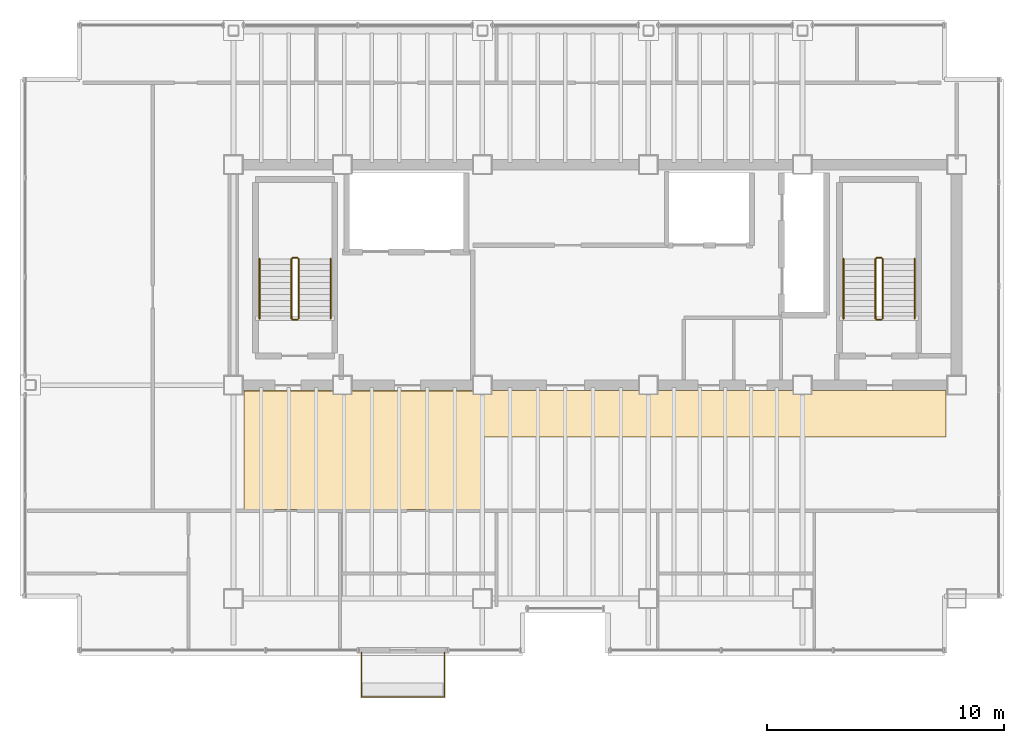
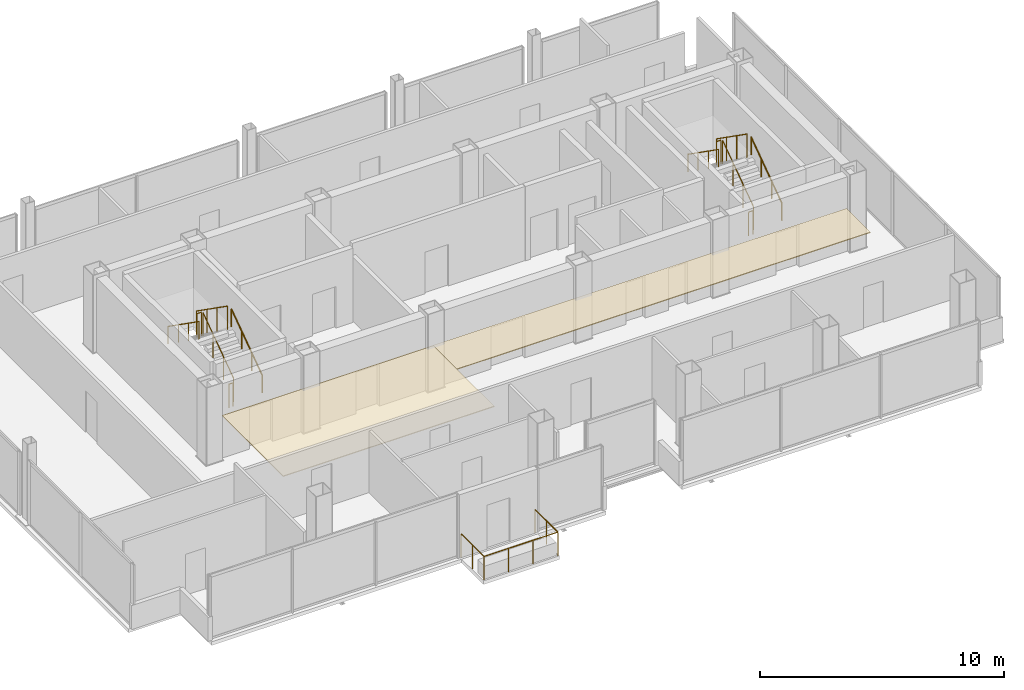
# One storey, part 16 of 16: 13 railings, 2 coverings.
"""IFC4 building model written with IfcOpenShell, lengths in metres."""

from ifc_helpers import new_model, si_unit, direction, frame, origin, origin_2d, place, context, subcontext, project, spatial, polyline, circle, outline, extrude, material, layer, layer_set, type_object, element, save


model = new_model("IFC4")

# Units and contexts
model_context = context("Model", 3, precision=1e-05, world=origin(), true_north=direction((0.0, 1.0)))
body_context = subcontext(model_context, "Body", "Model", "MODEL_VIEW")
ifc_project = project(units=[si_unit("LENGTHUNIT", "METRE"), si_unit("AREAUNIT", "SQUARE_METRE"), si_unit("VOLUMEUNIT", "CUBIC_METRE"), si_unit("PLANEANGLEUNIT", "RADIAN"), si_unit("MASSUNIT", "GRAM", prefix="KILO")], contexts=[model_context])

# Site, building, storey
site_placement = place(None, origin())
site = spatial("IfcSite", under=ifc_project, at=site_placement, CompositionType="ELEMENT")
building_placement = place(site_placement, origin())
building = spatial("IfcBuilding", under=site, at=building_placement, Name="Noeulbin Bourse Tower", CompositionType="ELEMENT")
storey_placement = place(building_placement, frame((0.0, 0.0, 269.60009765625)))
storey = spatial("IfcBuildingStorey", under=building, at=storey_placement, Name="L67", CompositionType="ELEMENT", Elevation=269.60009765625)

# Coverings
ifc_material_1 = material(Name="Perforated Mineral-Fibre Acoustic Tile")
ifc_layer_1 = layer(ifc_material_1, 0.0400390625)
ifc_layer_set_1 = layer_set([ifc_layer_1], Name="Perforated Mineral-Fibre Acoustic Tile")
covering_type_1 = type_object("IfcCoveringType", Name="COV-CEIL-ACT", PredefinedType="CEILING", material=ifc_layer_set_1)
covering_1_placement = place(storey_placement, frame((0.0, 0.0, 2.10986328125)))
element("IfcCovering", 1, at=covering_1_placement, inside=storey, type_object=covering_type_1, Name="Trading Suite Acoustic Ceiling L67", PredefinedType="CEILING", context=body_context, shape_type="SweptSolid", body=[
    extrude(outline(polyline([(13.949951171875, 23.75), (23.949951171875, 23.75), (23.949951171875, 28.75), (13.949951171875, 28.75), (13.949951171875, 23.75)])), origin(), (0.0, 0.0, 1.0), 0.0400390625),
])
ifc_material_2 = material(Name="Linear Anodised Aluminium Baffle Ceiling", Category="aluminium")
ifc_layer_2 = layer(ifc_material_2, 0.050048828125)
ifc_layer_set_2 = layer_set([ifc_layer_2], Name="Linear Anodised Aluminium Baffle Ceiling")
covering_type_2 = type_object("IfcCoveringType", Name="COV-CEIL-MTL", PredefinedType="CEILING", material=ifc_layer_set_2)
covering_2_placement = place(storey_placement, frame((0.0, 0.0, 2.10986328125)))
element("IfcCovering", 2, at=covering_2_placement, inside=storey, type_object=covering_type_2, Name="Corridor Suspended Ceiling L67", PredefinedType="CEILING", context=body_context, shape_type="SweptSolid", body=[
    extrude(outline(polyline([(13.949951171875, 26.820068359375), (43.550048828125, 26.820068359375), (43.550048828125, 28.780029296875), (13.949951171875, 28.780029296875), (13.949951171875, 26.820068359375)])), origin(), (0.0, 0.0, 1.0), 0.0400390625),
])

# Railings
ifc_material_3 = material(Name="Laminated SentryGlas and Stainless Steel 316", Category="steel")
ifc_layer_3 = layer(ifc_material_3, 0.06005859375)
ifc_layer_set_3 = layer_set([ifc_layer_3], Name="Laminated SentryGlas and Stainless Steel 316")
railing_type_1 = type_object("IfcRailingType", Name="RLG-BAL-1200", PredefinedType="BALUSTRADE", material=ifc_layer_set_3)
railing_1_placement = place(storey_placement, frame((18.89990234375, 17.719970703125, 0.0)))
element("IfcRailing", 3, at=railing_1_placement, inside=storey, type_object=railing_type_1, Name="Tree-Balcony Glazed Balustrade L67", PredefinedType="BALUSTRADE", context=body_context, shape_type="SweptSolid", body=[
    extrude(circle(Radius=0.02392578125, at=origin_2d()), frame((0.0, 0.0, 1.17578125), z_axis=(0.0, -1.0, 0.0), x_axis=(1.0, 0.0, 0.0)), (0.0, 0.0, 1.0), 1.869873046875),
    extrude(circle(Radius=0.02392578125, at=origin_2d()), frame((0.0, -1.869873046875, 1.17578125), z_axis=(1.0, 0.0, 0.0), x_axis=(0.0, 1.0, 0.0)), (0.0, 0.0, 1.0), 3.5),
    extrude(circle(Radius=0.02392578125, at=origin_2d()), frame((3.5, -1.869873046875, 1.17578125), z_axis=(0.0, 1.0, 0.0), x_axis=(-1.0, 0.0, 0.0)), (0.0, 0.0, 1.0), 1.869873046875),
    extrude(circle(Radius=0.02099609375, at=origin_2d()), origin(), (0.0, 0.0, 1.0), 1.15185546875),
    extrude(circle(Radius=0.02099609375, at=origin_2d()), frame((0.0, -0.93505859375, 0.0)), (0.0, 0.0, 1.0), 1.15185546875),
    extrude(circle(Radius=0.02099609375, at=origin_2d()), frame((0.0, -1.869873046875, 0.0)), (0.0, 0.0, 1.0), 1.15185546875),
    extrude(circle(Radius=0.02099609375, at=origin_2d()), frame((1.166748046875, -1.869873046875, 0.0)), (0.0, 0.0, 1.0), 1.15185546875),
    extrude(circle(Radius=0.02099609375, at=origin_2d()), frame((2.333251953125, -1.869873046875, 0.0)), (0.0, 0.0, 1.0), 1.15185546875),
    extrude(circle(Radius=0.02099609375, at=origin_2d()), frame((3.5, -1.869873046875, 0.0)), (0.0, 0.0, 1.0), 1.15185546875),
    extrude(circle(Radius=0.02099609375, at=origin_2d()), frame((3.5, -0.93505859375, 0.0)), (0.0, 0.0, 1.0), 1.15185546875),
    extrude(circle(Radius=0.02099609375, at=origin_2d()), frame((3.5, 0.0, 0.0)), (0.0, 0.0, 1.0), 1.15185546875),
])
ifc_material_4 = material(Name="Painted Tubular Steel S355", Category="steel")
ifc_layer_4 = layer(ifc_material_4, 0.048095703125)
ifc_layer_set_4 = layer_set([ifc_layer_4], Name="Painted Tubular Steel S355")
railing_type_2 = type_object("IfcRailingType", Name="RLG-STR-GRD", PredefinedType="GUARDRAIL", material=ifc_layer_set_4)
railing_2_placement = place(storey_placement, frame((16.25, 31.81005859375, 0.17724609375)))
element("IfcRailing", 4, at=railing_2_placement, inside=storey, type_object=railing_type_2, Name="L67 ST-1 stair guard 1", PredefinedType="GUARDRAIL", context=body_context, shape_type="SweptSolid", body=[
    extrude(circle(Radius=0.02392578125, at=origin_2d()), frame((0.0, 0.0, 1.17578125), z_axis=(0.0, 0.817904474719, 0.575354039036), x_axis=(-1.0, 0.0, 0.0)), (0.0, 0.0, 1.0), 3.0810546875),
    extrude(circle(Radius=0.02099609375, at=origin_2d()), origin(), (0.0, 0.0, 1.0), 1.15185546875),
    extrude(circle(Radius=0.02099609375, at=origin_2d()), frame((0.0, 0.840087890625, 0.5908203125)), (0.0, 0.0, 1.0), 1.15185546875),
    extrude(circle(Radius=0.02099609375, at=origin_2d()), frame((0.0, 1.679931640625, 1.181884765625)), (0.0, 0.0, 1.0), 1.15185546875),
    extrude(circle(Radius=0.02099609375, at=origin_2d()), frame((0.0, 2.52001953125, 1.772705078125)), (0.0, 0.0, 1.0), 1.15185546875),
])
railing_3_placement = place(storey_placement, frame((16.199951171875, 34.3798828125, 1.949951171875)))
element("IfcRailing", 5, at=railing_3_placement, inside=storey, type_object=railing_type_2, Name="L67 ST-1 stair guard 2", PredefinedType="GUARDRAIL", context=body_context, shape_type="SweptSolid", body=[
    extrude(circle(Radius=0.02392578125, at=origin_2d()), frame((0.0, 0.0, 1.17578125), z_axis=(-1.0, 0.0, 0.0), x_axis=(0.0, -1.0, 0.0)), (0.0, 0.0, 1.0), 0.199951171875),
    extrude(circle(Radius=0.02099609375, at=origin_2d()), origin(), (0.0, 0.0, 1.0), 1.15185546875),
    extrude(circle(Radius=0.02099609375, at=origin_2d()), frame((-0.199951171875, 0.0, 0.0)), (0.0, 0.0, 1.0), 1.15185546875),
])
railing_4_placement = place(storey_placement, frame((15.949951171875, 34.330078125, 2.127197265625)))
element("IfcRailing", 6, at=railing_4_placement, inside=storey, type_object=railing_type_2, Name="L67 ST-1 stair guard 3", PredefinedType="GUARDRAIL", context=body_context, shape_type="SweptSolid", body=[
    extrude(circle(Radius=0.02392578125, at=origin_2d()), frame((0.0, 0.0, 1.17578125), z_axis=(0.0, -0.817904474719, 0.575354039036), x_axis=(1.0, 0.0, 0.0)), (0.0, 0.0, 1.0), 3.0810546875),
    extrude(circle(Radius=0.02099609375, at=origin_2d()), origin(), (0.0, 0.0, 1.0), 1.15185546875),
    extrude(circle(Radius=0.02099609375, at=origin_2d()), frame((0.0, -0.840087890625, 0.5908203125)), (0.0, 0.0, 1.0), 1.15185546875),
    extrude(circle(Radius=0.02099609375, at=origin_2d()), frame((0.0, -1.679931640625, 1.181884765625)), (0.0, 0.0, 1.0), 1.15185546875),
    extrude(circle(Radius=0.02099609375, at=origin_2d()), frame((0.0, -2.52001953125, 1.772705078125)), (0.0, 0.0, 1.0), 1.15185546875),
])
railing_5_placement = place(storey_placement, frame((16.199951171875, 31.760009765625, 0.0)))
element("IfcRailing", 7, at=railing_5_placement, inside=storey, type_object=railing_type_2, Name="L67 ST-1 stair guard 4", PredefinedType="GUARDRAIL", context=body_context, shape_type="SweptSolid", body=[
    extrude(circle(Radius=0.02392578125, at=origin_2d()), frame((0.0, 0.0, 1.17578125), z_axis=(-1.0, 0.0, 0.0), x_axis=(0.0, -1.0, 0.0)), (0.0, 0.0, 1.0), 0.199951171875),
    extrude(circle(Radius=0.02099609375, at=origin_2d()), origin(), (0.0, 0.0, 1.0), 1.15185546875),
    extrude(circle(Radius=0.02099609375, at=origin_2d()), frame((-0.199951171875, 0.0, 0.0)), (0.0, 0.0, 1.0), 1.15185546875),
])
railing_6_placement = place(storey_placement, frame((40.8798828125, 31.81005859375, 0.17724609375)))
element("IfcRailing", 8, at=railing_6_placement, inside=storey, type_object=railing_type_2, Name="L67 ST-2 stair guard 1", PredefinedType="GUARDRAIL", context=body_context, shape_type="SweptSolid", body=[
    extrude(circle(Radius=0.02392578125, at=origin_2d()), frame((0.0, 0.0, 1.17578125), z_axis=(0.0, 0.817904474719, 0.575354039036), x_axis=(-1.0, 0.0, 0.0)), (0.0, 0.0, 1.0), 3.0810546875),
    extrude(circle(Radius=0.02099609375, at=origin_2d()), origin(), (0.0, 0.0, 1.0), 1.15185546875),
    extrude(circle(Radius=0.02099609375, at=origin_2d()), frame((0.0, 0.840087890625, 0.5908203125)), (0.0, 0.0, 1.0), 1.15185546875),
    extrude(circle(Radius=0.02099609375, at=origin_2d()), frame((0.0, 1.679931640625, 1.181884765625)), (0.0, 0.0, 1.0), 1.15185546875),
    extrude(circle(Radius=0.02099609375, at=origin_2d()), frame((0.0, 2.52001953125, 1.772705078125)), (0.0, 0.0, 1.0), 1.15185546875),
])
railing_7_placement = place(storey_placement, frame((40.830078125, 34.3798828125, 1.949951171875)))
element("IfcRailing", 9, at=railing_7_placement, inside=storey, type_object=railing_type_2, Name="L67 ST-2 stair guard 2", PredefinedType="GUARDRAIL", context=body_context, shape_type="SweptSolid", body=[
    extrude(circle(Radius=0.02392578125, at=origin_2d()), frame((0.0, 0.0, 1.17578125), z_axis=(-1.0, 0.0, 0.0), x_axis=(0.0, -1.0, 0.0)), (0.0, 0.0, 1.0), 0.2001953125),
    extrude(circle(Radius=0.02099609375, at=origin_2d()), origin(), (0.0, 0.0, 1.0), 1.15185546875),
    extrude(circle(Radius=0.02099609375, at=origin_2d()), frame((-0.2001953125, 0.0, 0.0)), (0.0, 0.0, 1.0), 1.15185546875),
])
railing_8_placement = place(storey_placement, frame((40.580078125, 34.330078125, 2.127197265625)))
element("IfcRailing", 10, at=railing_8_placement, inside=storey, type_object=railing_type_2, Name="L67 ST-2 stair guard 3", PredefinedType="GUARDRAIL", context=body_context, shape_type="SweptSolid", body=[
    extrude(circle(Radius=0.02392578125, at=origin_2d()), frame((0.0, 0.0, 1.17578125), z_axis=(0.0, -0.817904474719, 0.575354039036), x_axis=(1.0, 0.0, 0.0)), (0.0, 0.0, 1.0), 3.0810546875),
    extrude(circle(Radius=0.02099609375, at=origin_2d()), origin(), (0.0, 0.0, 1.0), 1.15185546875),
    extrude(circle(Radius=0.02099609375, at=origin_2d()), frame((0.0, -0.840087890625, 0.5908203125)), (0.0, 0.0, 1.0), 1.15185546875),
    extrude(circle(Radius=0.02099609375, at=origin_2d()), frame((0.0, -1.679931640625, 1.181884765625)), (0.0, 0.0, 1.0), 1.15185546875),
    extrude(circle(Radius=0.02099609375, at=origin_2d()), frame((0.0, -2.52001953125, 1.772705078125)), (0.0, 0.0, 1.0), 1.15185546875),
])
railing_9_placement = place(storey_placement, frame((40.830078125, 31.760009765625, 0.0)))
element("IfcRailing", 11, at=railing_9_placement, inside=storey, type_object=railing_type_2, Name="L67 ST-2 stair guard 4", PredefinedType="GUARDRAIL", context=body_context, shape_type="SweptSolid", body=[
    extrude(circle(Radius=0.02392578125, at=origin_2d()), frame((0.0, 0.0, 1.17578125), z_axis=(-1.0, 0.0, 0.0), x_axis=(0.0, -1.0, 0.0)), (0.0, 0.0, 1.0), 0.2001953125),
    extrude(circle(Radius=0.02099609375, at=origin_2d()), origin(), (0.0, 0.0, 1.0), 1.15185546875),
    extrude(circle(Radius=0.02099609375, at=origin_2d()), frame((-0.2001953125, 0.0, 0.0)), (0.0, 0.0, 1.0), 1.15185546875),
])
ifc_material_5 = material(Name="Brushed Stainless Steel 316", Category="steel")
ifc_layer_5 = layer(ifc_material_5, 0.048095703125)
ifc_layer_set_5 = layer_set([ifc_layer_5], Name="Brushed Stainless Steel 316")
railing_type_3 = type_object("IfcRailingType", Name="RLG-STR-HND", PredefinedType="HANDRAIL", material=ifc_layer_set_5)
railing_10_placement = place(storey_placement, frame((17.60009765625, 31.81005859375, 0.17724609375)))
element("IfcRailing", 12, at=railing_10_placement, inside=storey, type_object=railing_type_3, Name="L67 ST-1 stair handrail 1", PredefinedType="HANDRAIL", context=body_context, shape_type="SweptSolid", body=[
    extrude(circle(Radius=0.02392578125, at=origin_2d()), frame((0.0, 0.0, 0.8759765625), z_axis=(0.0, 0.817904474719, 0.575354039036), x_axis=(-1.0, 0.0, 0.0)), (0.0, 0.0, 1.0), 3.0810546875),
    extrude(circle(Radius=0.02099609375, at=origin_2d()), origin(), (0.0, 0.0, 1.0), 0.851806640625),
    extrude(circle(Radius=0.02099609375, at=origin_2d()), frame((0.0, 0.840087890625, 0.5908203125)), (0.0, 0.0, 1.0), 0.851806640625),
    extrude(circle(Radius=0.02099609375, at=origin_2d()), frame((0.0, 1.679931640625, 1.181884765625)), (0.0, 0.0, 1.0), 0.851806640625),
    extrude(circle(Radius=0.02099609375, at=origin_2d()), frame((0.0, 2.52001953125, 1.772705078125)), (0.0, 0.0, 1.0), 0.851806640625),
])
railing_11_placement = place(storey_placement, frame((14.60009765625, 34.330078125, 2.127197265625)))
element("IfcRailing", 13, at=railing_11_placement, inside=storey, type_object=railing_type_3, Name="L67 ST-1 stair handrail 2", PredefinedType="HANDRAIL", context=body_context, shape_type="SweptSolid", body=[
    extrude(circle(Radius=0.02392578125, at=origin_2d()), frame((0.0, 0.0, 0.8759765625), z_axis=(0.0, -0.817904474719, 0.575354039036), x_axis=(1.0, 0.0, 0.0)), (0.0, 0.0, 1.0), 3.0810546875),
    extrude(circle(Radius=0.02099609375, at=origin_2d()), origin(), (0.0, 0.0, 1.0), 0.851806640625),
    extrude(circle(Radius=0.02099609375, at=origin_2d()), frame((0.0, -0.840087890625, 0.5908203125)), (0.0, 0.0, 1.0), 0.851806640625),
    extrude(circle(Radius=0.02099609375, at=origin_2d()), frame((0.0, -1.679931640625, 1.181884765625)), (0.0, 0.0, 1.0), 0.851806640625),
    extrude(circle(Radius=0.02099609375, at=origin_2d()), frame((0.0, -2.52001953125, 1.772705078125)), (0.0, 0.0, 1.0), 0.851806640625),
])
railing_12_placement = place(storey_placement, frame((42.22998046875, 31.81005859375, 0.17724609375)))
element("IfcRailing", 14, at=railing_12_placement, inside=storey, type_object=railing_type_3, Name="L67 ST-2 stair handrail 1", PredefinedType="HANDRAIL", context=body_context, shape_type="SweptSolid", body=[
    extrude(circle(Radius=0.02392578125, at=origin_2d()), frame((0.0, 0.0, 0.8759765625), z_axis=(0.0, 0.817904474719, 0.575354039036), x_axis=(-1.0, 0.0, 0.0)), (0.0, 0.0, 1.0), 3.0810546875),
    extrude(circle(Radius=0.02099609375, at=origin_2d()), origin(), (0.0, 0.0, 1.0), 0.851806640625),
    extrude(circle(Radius=0.02099609375, at=origin_2d()), frame((0.0, 0.840087890625, 0.5908203125)), (0.0, 0.0, 1.0), 0.851806640625),
    extrude(circle(Radius=0.02099609375, at=origin_2d()), frame((0.0, 1.679931640625, 1.181884765625)), (0.0, 0.0, 1.0), 0.851806640625),
    extrude(circle(Radius=0.02099609375, at=origin_2d()), frame((0.0, 2.52001953125, 1.772705078125)), (0.0, 0.0, 1.0), 0.851806640625),
])
railing_13_placement = place(storey_placement, frame((39.22998046875, 34.330078125, 2.127197265625)))
element("IfcRailing", 15, at=railing_13_placement, inside=storey, type_object=railing_type_3, Name="L67 ST-2 stair handrail 2", PredefinedType="HANDRAIL", context=body_context, shape_type="SweptSolid", body=[
    extrude(circle(Radius=0.02392578125, at=origin_2d()), frame((0.0, 0.0, 0.8759765625), z_axis=(0.0, -0.817904474719, 0.575354039036), x_axis=(1.0, 0.0, 0.0)), (0.0, 0.0, 1.0), 3.0810546875),
    extrude(circle(Radius=0.02099609375, at=origin_2d()), origin(), (0.0, 0.0, 1.0), 0.851806640625),
    extrude(circle(Radius=0.02099609375, at=origin_2d()), frame((0.0, -0.840087890625, 0.5908203125)), (0.0, 0.0, 1.0), 0.851806640625),
    extrude(circle(Radius=0.02099609375, at=origin_2d()), frame((0.0, -1.679931640625, 1.181884765625)), (0.0, 0.0, 1.0), 0.851806640625),
    extrude(circle(Radius=0.02099609375, at=origin_2d()), frame((0.0, -2.52001953125, 1.772705078125)), (0.0, 0.0, 1.0), 0.851806640625),
])

save(model, "model.ifc")
